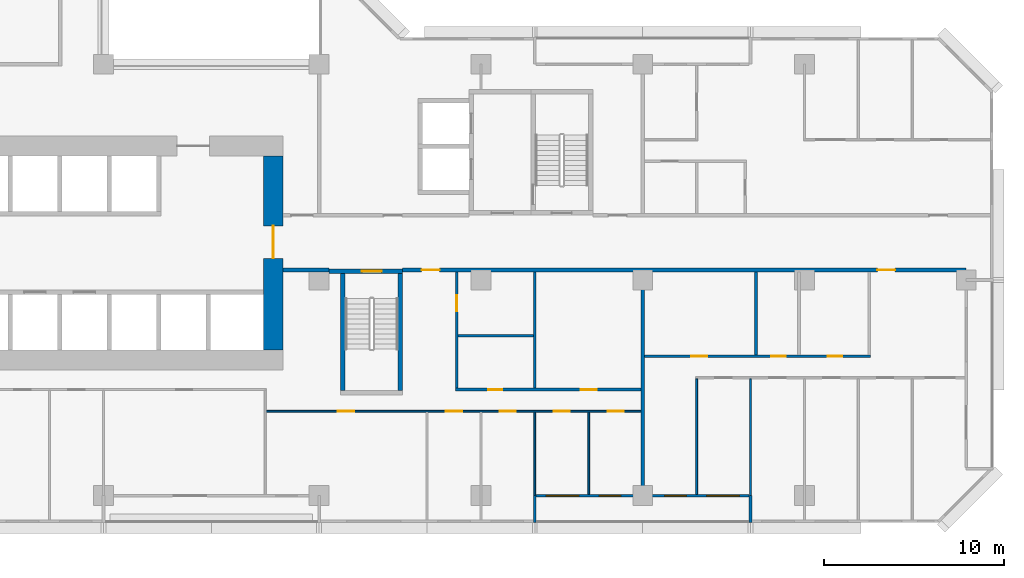
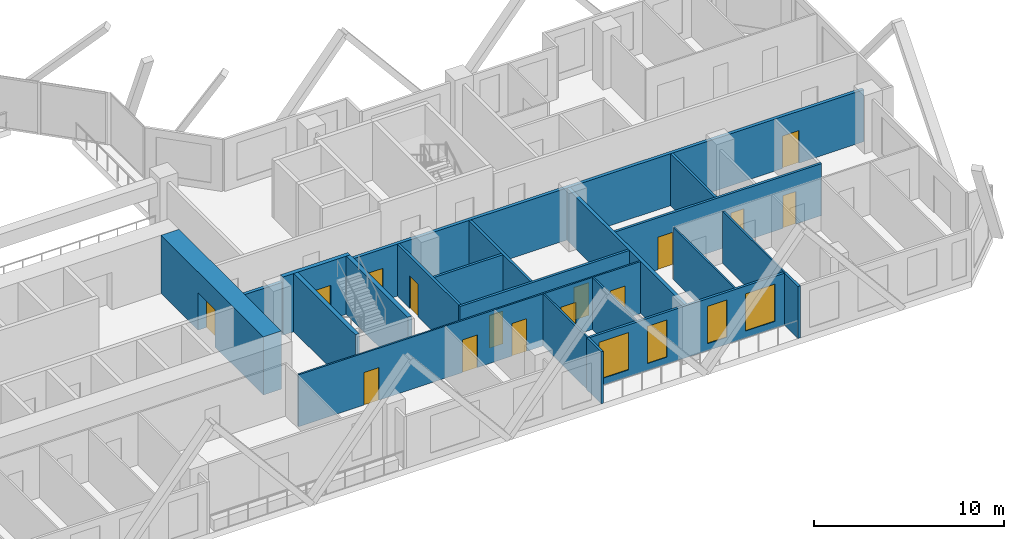
# One storey, part 6 of 15: 21 walls, 15 doors, 4 windows, 19 openings.
"""IFC4 building model written with IfcOpenShell, lengths in metres."""

from ifc_helpers import new_model, si_unit, direction, frame, frame_2d, origin, place, context, subcontext, project, spatial, rectangle, extrude, material, layer, layer_set, type_object, element, fill, save


model = new_model("IFC4")

# Units and contexts
model_context = context("Model", 3, precision=1e-05, world=origin(), true_north=direction((0.0, 1.0)))
body_context = subcontext(model_context, "Body", "Model", "MODEL_VIEW")
ifc_project = project(units=[si_unit("LENGTHUNIT", "METRE"), si_unit("AREAUNIT", "SQUARE_METRE"), si_unit("VOLUMEUNIT", "CUBIC_METRE"), si_unit("PLANEANGLEUNIT", "RADIAN"), si_unit("MASSUNIT", "GRAM", prefix="KILO")], contexts=[model_context])

# Site, building, storey
site_placement = place(None, origin())
site = spatial("IfcSite", under=ifc_project, at=site_placement, CompositionType="ELEMENT")
building_placement = place(site_placement, origin())
building = spatial("IfcBuilding", under=site, at=building_placement, Name="Chenar Terraces", CompositionType="ELEMENT")
storey_placement = place(building_placement, frame((0.0, 0.0, 63.89990234375)))
storey = spatial("IfcBuildingStorey", under=building, at=storey_placement, Name="L13", CompositionType="ELEMENT", Elevation=63.89990234375)

# Wall, opening, door
ifc_material_1 = material(Name="Concrete C70/85", Category="concrete")
ifc_layer_1 = layer(ifc_material_1, 1.10009765625)
ifc_layer_set_1 = layer_set([ifc_layer_1], Name="Concrete C70/85")
wall_type_1 = type_object("IfcWallType", Name="Core wall 1100 Concrete C70/85", PredefinedType="SHEAR", material=ifc_layer_set_1)
wall_1_placement = place(storey_placement, frame((33.449951171875, 8.10009765625, 0.0), z_axis=(0.0, 0.0, 1.0), x_axis=(0.0, 1.0, 0.0)))
wall_1 = element("IfcWall", 1, at=wall_1_placement, inside=storey, type_object=wall_type_1, Name="Core wall E L13", PredefinedType="SHEAR", context=body_context, shape_type="SweptSolid", body=[
    extrude(rectangle(XDim=10.7998046875, YDim=1.10009765625, at=frame_2d((5.39990234375, 0.0))), origin(), (0.0, 0.0, 1.0), 3.75),
])
opening_1_placement = place(wall_1_placement, frame((5.10009765625, 0.0, 0.0)))
opening_1 = element("IfcOpeningElement", 2, at=opening_1_placement, cuts=wall_1, Name="Opening DL13-C1", PredefinedType="OPENING", context=body_context, shape_type="SweptSolid", body=[
    extrude(rectangle(XDim=1.800048828125, YDim=2.39990234375, at=frame_2d((0.89990234375, 1.199951171875))), frame((0.0, 0.56005859375, 0.0), z_axis=(0.0, -1.0, 0.0), x_axis=(1.0, 0.0, 0.0)), (0.0, 0.0, 1.0), 1.1201171875),
])
ifc_material_2 = material(Name="Steel-framed fire-resisting door leaf", Category="steel")
door_type_1 = type_object("IfcDoorType", Name="Core entrance double fire door FD60 1800 x 2400", OperationType="DOUBLE_DOOR_SINGLE_SWING", PredefinedType="DOOR", material=ifc_material_2)
door_1_placement = place(opening_1_placement, origin())
door_1 = element("IfcDoor", 3, at=door_1_placement, inside=storey, type_object=door_type_1, Name="Core door DL13-C1", OperationType="DOUBLE_DOOR_SINGLE_SWING", OverallHeight=2.39990234375, OverallWidth=1.800048828125, PredefinedType="DOOR", context=body_context, shape_type="SweptSolid", body=[
    extrude(rectangle(XDim=1.800048828125, YDim=2.39990234375, at=frame_2d((0.89990234375, 1.199951171875))), frame((0.0, 0.02490234375, 0.0), z_axis=(0.0, -1.0, 0.0), x_axis=(1.0, 0.0, 0.0)), (0.0, 0.0, 1.0), 0.050048828125),
])
fill(opening_1, door_1)

ifc_material_3 = material(Name="Concrete C70/85", Category="concrete")
ifc_layer_2 = layer(ifc_material_3, 0.25)
ifc_layer_set_2 = layer_set([ifc_layer_2], Name="Concrete C70/85")
wall_type_2 = type_object("IfcWallType", Name="Core wall 250 Concrete C70/85", PredefinedType="SHEAR", material=ifc_layer_set_2)
wall_2_placement = place(storey_placement, frame((36.550048828125, 12.47509765625, 0.0), z_axis=(0.0, 0.0, 1.0), x_axis=(1.0, 0.0, 0.0)))
wall_2 = element("IfcWall", 4, at=wall_2_placement, inside=storey, type_object=wall_type_2, Name="Core wall ST2_N L13", PredefinedType="SHEAR", context=body_context, shape_type="SweptSolid", body=[
    extrude(rectangle(XDim=4.099853515625, YDim=0.25, at=frame_2d((2.0498046875, 0.0))), origin(), (0.0, 0.0, 1.0), 3.75),
])
opening_2_placement = place(wall_2_placement, frame((1.824951171875, 0.0, 0.0)))
opening_2 = element("IfcOpeningElement", 5, at=opening_2_placement, cuts=wall_2, Name="Opening DL13-C7", PredefinedType="OPENING", context=body_context, shape_type="SweptSolid", body=[
    extrude(rectangle(XDim=1.10009765625, YDim=2.199951171875, at=frame_2d((0.550048828125, 1.10009765625))), frame((0.0, 0.135009765625, 0.0), z_axis=(0.0, -1.0, 0.0), x_axis=(1.0, 0.0, 0.0)), (0.0, 0.0, 1.0), 0.27001953125),
])
ifc_material_4 = material(Name="Steel-framed fire-resisting door leaf", Category="steel")
door_type_2 = type_object("IfcDoorType", Name="Stair fire door FD60 1100 x 2200", OperationType="SINGLE_SWING_LEFT", PredefinedType="DOOR", material=ifc_material_4)
door_2_placement = place(opening_2_placement, frame((1.10009765625, 0.0, 0.0), z_axis=(0.0, 0.0, 1.0), x_axis=(-1.0, 0.0, 0.0)))
door_2 = element("IfcDoor", 6, at=door_2_placement, inside=storey, type_object=door_type_2, Name="Stair door DL13-C7", OperationType="SINGLE_SWING_LEFT", OverallHeight=2.199951171875, OverallWidth=1.10009765625, PredefinedType="DOOR", context=body_context, shape_type="SweptSolid", body=[
    extrude(rectangle(XDim=1.10009765625, YDim=2.199951171875, at=frame_2d((0.550048828125, 1.10009765625))), frame((0.0, 0.02490234375, 0.0), z_axis=(0.0, -1.0, 0.0), x_axis=(1.0, 0.0, 0.0)), (0.0, 0.0, 1.0), 0.050048828125),
])
fill(opening_2, door_2)

# Walls
for number, where, z_axis, x_axis, name in (
    (7, (37.324951171875, 5.85009765625, 0.0), (0.0, 0.0, 1.0), (0.0, 1.0, 0.0), "Core wall ST2_W L13"),
    (8, (40.52490234375, 5.85009765625, 0.0), (0.0, 0.0, 1.0), (0.0, 1.0, 0.0), "Core wall ST2_E L13"),
):
    element("IfcWall", number, at=place(storey_placement, frame(where, z_axis=z_axis, x_axis=x_axis)), inside=storey, type_object=wall_type_2, Name=name, PredefinedType="SHEAR", context=body_context, shape_type="SweptSolid", body=[
        extrude(rectangle(XDim=6.5, YDim=0.25, at=frame_2d((3.25, 0.0))), origin(), (0.0, 0.0, 1.0), 3.75),
    ])
ifc_material_5 = material(Name="Gypsum board on steel studs with fire boards", Category="steel")
ifc_layer_3 = layer(ifc_material_5, 0.199951171875)
ifc_layer_set_3 = layer_set([ifc_layer_3], Name="Gypsum board on steel studs with fire boards")
wall_type_3 = type_object("IfcWallType", Name="Corridor wall 200", PredefinedType="PARTITIONING", material=ifc_layer_set_3)
wall_3_placement = place(storey_placement, frame((34.0, 12.550048828125, 0.0), z_axis=(0.0, 0.0, 1.0), x_axis=(1.0, 0.0, 0.0)))
element("IfcWall", 9, at=wall_3_placement, inside=storey, type_object=wall_type_3, Name="Partition L13-057", PredefinedType="PARTITIONING", context=body_context, shape_type="SweptSolid", body=[
    extrude(rectangle(XDim=2.551025390625, YDim=0.199951171875, at=frame_2d((1.275390625, 0.0))), origin(), (0.0, 0.0, 1.0), 3.35009765625),
])

# Wall, openings, doors
wall_4_placement = place(storey_placement, frame((40.64990234375, 12.550048828125, 0.0), z_axis=(0.0, 0.0, 1.0), x_axis=(1.0, 0.0, 0.0)))
wall_4 = element("IfcWall", 10, at=wall_4_placement, inside=storey, type_object=wall_type_3, Name="Partition L13-060", PredefinedType="PARTITIONING", context=body_context, shape_type="SweptSolid", body=[
    extrude(rectangle(XDim=31.35009765625, YDim=0.199951171875, at=frame_2d((15.675048828125, 0.0))), origin(), (0.0, 0.0, 1.0), 3.35009765625),
])
opening_3_placement = place(wall_4_placement, frame((26.39990234375, 0.0, 0.0)))
opening_3 = element("IfcOpeningElement", 11, at=opening_3_placement, cuts=wall_4, Name="Opening DL13-16", PredefinedType="OPENING", context=body_context, shape_type="SweptSolid", body=[
    extrude(rectangle(XDim=1.0, YDim=2.10009765625, at=frame_2d((0.5, 1.050048828125))), frame((0.0, 0.10986328125, 0.0), z_axis=(0.0, -1.0, 0.0), x_axis=(1.0, 0.0, 0.0)), (0.0, 0.0, 1.0), 0.219970703125),
])
opening_4_placement = place(wall_4_placement, frame((1.050048828125, 0.0, 0.0)))
opening_4 = element("IfcOpeningElement", 12, at=opening_4_placement, cuts=wall_4, Name="Opening DL13-60", PredefinedType="OPENING", context=body_context, shape_type="SweptSolid", body=[
    extrude(rectangle(XDim=1.0, YDim=2.10009765625, at=frame_2d((0.5, 1.050048828125))), frame((0.0, 0.10986328125, 0.0), z_axis=(0.0, -1.0, 0.0), x_axis=(1.0, 0.0, 0.0)), (0.0, 0.0, 1.0), 0.219970703125),
])
ifc_material_6 = material(Name="Steel-framed fire-resisting door leaf", Category="steel")
door_type_3 = type_object("IfcDoorType", Name="Fire door FD30S 1000 x 2100", OperationType="SINGLE_SWING_LEFT", PredefinedType="DOOR", material=ifc_material_6)
door_3_placement = place(opening_3_placement, frame((1.0, 0.0, 0.0), z_axis=(0.0, 0.0, 1.0), x_axis=(-1.0, 0.0, 0.0)))
door_3 = element("IfcDoor", 13, at=door_3_placement, inside=storey, type_object=door_type_3, Name="Door DL13-16", OperationType="SINGLE_SWING_RIGHT", OverallHeight=2.10009765625, OverallWidth=1.0, PredefinedType="DOOR", context=body_context, shape_type="SweptSolid", body=[
    extrude(rectangle(XDim=1.0, YDim=2.10009765625, at=frame_2d((0.5, 1.050048828125))), frame((0.0, 0.02490234375, 0.0), z_axis=(0.0, -1.0, 0.0), x_axis=(1.0, 0.0, 0.0)), (0.0, 0.0, 1.0), 0.050048828125),
])
fill(opening_3, door_3)
door_4_placement = place(opening_4_placement, origin())
door_4 = element("IfcDoor", 14, at=door_4_placement, inside=storey, type_object=door_type_3, Name="Door DL13-60", OperationType="SINGLE_SWING_RIGHT", OverallHeight=2.10009765625, OverallWidth=1.0, PredefinedType="DOOR", context=body_context, shape_type="SweptSolid", body=[
    extrude(rectangle(XDim=1.0, YDim=2.10009765625, at=frame_2d((0.5, 1.050048828125))), frame((0.0, 0.02490234375, 0.0), z_axis=(0.0, -1.0, 0.0), x_axis=(1.0, 0.0, 0.0)), (0.0, 0.0, 1.0), 0.050048828125),
])
fill(opening_4, door_4)

# Wall, openings, windows
ifc_material_7 = material(Name="Aluminium framed glazing", Category="aluminium")
ifc_layer_4 = layer(ifc_material_7, 0.14990234375)
ifc_layer_set_4 = layer_set([ifc_layer_4], Name="Aluminium framed glazing")
wall_type_4 = type_object("IfcWallType", Name="Glazed loggia back wall 150", PredefinedType="SOLIDWALL", material=ifc_layer_set_4)
wall_5_placement = place(storey_placement, frame((48.074951171875, 0.0, 0.0), z_axis=(0.0, 0.0, 1.0), x_axis=(1.0, 0.0, 0.0)))
wall_5 = element("IfcWall", 15, at=wall_5_placement, inside=storey, type_object=wall_type_4, Name="Glazed loggia back wall", PredefinedType="SOLIDWALL", context=body_context, shape_type="SweptSolid", body=[
    extrude(rectangle(XDim=11.85009765625, YDim=0.14990234375, at=frame_2d((5.925048828125, 0.0))), origin(), (0.0, 0.0, 1.0), 3.35009765625),
])
opening_5_placement = place(wall_5_placement, frame((0.5625, 0.0, 0.449951171875)))
opening_5 = element("IfcOpeningElement", 16, at=opening_5_placement, cuts=wall_5, Name="Opening W180x240", PredefinedType="OPENING", context=body_context, shape_type="SweptSolid", body=[
    extrude(rectangle(XDim=1.800048828125, YDim=2.39990234375, at=frame_2d((0.89990234375, 1.199951171875))), frame((0.0, 0.0849609375, 0.0), z_axis=(0.0, -1.0, 0.0), x_axis=(1.0, 0.0, 0.0)), (0.0, 0.0, 1.0), 0.169921875),
])
opening_6_placement = place(wall_5_placement, frame((3.5, 0.0, 0.449951171875)))
opening_6 = element("IfcOpeningElement", 17, at=opening_6_placement, cuts=wall_5, Name="Opening W120x240", PredefinedType="OPENING", context=body_context, shape_type="SweptSolid", body=[
    extrude(rectangle(XDim=1.199951171875, YDim=2.39990234375, at=frame_2d((0.60009765625, 1.199951171875))), frame((0.0, 0.0849609375, 0.0), z_axis=(0.0, -1.0, 0.0), x_axis=(1.0, 0.0, 0.0)), (0.0, 0.0, 1.0), 0.169921875),
])
opening_7_placement = place(wall_5_placement, frame((7.14990234375, 0.0, 0.449951171875)))
opening_7 = element("IfcOpeningElement", 18, at=opening_7_placement, cuts=wall_5, Name="Opening W120x240", PredefinedType="OPENING", context=body_context, shape_type="SweptSolid", body=[
    extrude(rectangle(XDim=1.199951171875, YDim=2.39990234375, at=frame_2d((0.60009765625, 1.199951171875))), frame((0.0, 0.0849609375, 0.0), z_axis=(0.0, -1.0, 0.0), x_axis=(1.0, 0.0, 0.0)), (0.0, 0.0, 1.0), 0.169921875),
])
opening_8_placement = place(wall_5_placement, frame((9.487548828125, 0.0, 0.449951171875)))
opening_8 = element("IfcOpeningElement", 19, at=opening_8_placement, cuts=wall_5, Name="Opening W180x240", PredefinedType="OPENING", context=body_context, shape_type="SweptSolid", body=[
    extrude(rectangle(XDim=1.800048828125, YDim=2.39990234375, at=frame_2d((0.89990234375, 1.199951171875))), frame((0.0, 0.0849609375, 0.0), z_axis=(0.0, -1.0, 0.0), x_axis=(1.0, 0.0, 0.0)), (0.0, 0.0, 1.0), 0.169921875),
])
ifc_material_8 = material(Name="Low emissivity double glazing, aluminium frame", Category="aluminium")
window_type_1 = type_object("IfcWindowType", Name="Fixed light 1200 x 2400", PartitioningType="SINGLE_PANEL", PredefinedType="WINDOW", material=ifc_material_8)
window_1_placement = place(opening_6_placement, origin())
window_1 = element("IfcWindow", 20, at=window_1_placement, inside=storey, type_object=window_type_1, Name="Window", OverallHeight=2.39990234375, OverallWidth=1.199951171875, PartitioningType="SINGLE_PANEL", PredefinedType="WINDOW", context=body_context, shape_type="SweptSolid", body=[
    extrude(rectangle(XDim=1.199951171875, YDim=2.39990234375, at=frame_2d((0.60009765625, 1.199951171875))), frame((0.0, 0.030029296875, 0.0), z_axis=(0.0, -1.0, 0.0), x_axis=(1.0, 0.0, 0.0)), (0.0, 0.0, 1.0), 0.06005859375),
])
fill(opening_6, window_1)
window_2_placement = place(opening_7_placement, origin())
window_2 = element("IfcWindow", 21, at=window_2_placement, inside=storey, type_object=window_type_1, Name="Window", OverallHeight=2.39990234375, OverallWidth=1.199951171875, PartitioningType="SINGLE_PANEL", PredefinedType="WINDOW", context=body_context, shape_type="SweptSolid", body=[
    extrude(rectangle(XDim=1.199951171875, YDim=2.39990234375, at=frame_2d((0.60009765625, 1.199951171875))), frame((0.0, 0.030029296875, 0.0), z_axis=(0.0, -1.0, 0.0), x_axis=(1.0, 0.0, 0.0)), (0.0, 0.0, 1.0), 0.06005859375),
])
fill(opening_7, window_2)
ifc_material_9 = material(Name="Low emissivity double glazing, aluminium frame", Category="aluminium")
window_type_2 = type_object("IfcWindowType", Name="Fixed light 1800 x 2400", PartitioningType="SINGLE_PANEL", PredefinedType="WINDOW", material=ifc_material_9)
window_3_placement = place(opening_5_placement, origin())
window_3 = element("IfcWindow", 22, at=window_3_placement, inside=storey, type_object=window_type_2, Name="Window", OverallHeight=2.39990234375, OverallWidth=1.800048828125, PartitioningType="SINGLE_PANEL", PredefinedType="WINDOW", context=body_context, shape_type="SweptSolid", body=[
    extrude(rectangle(XDim=1.800048828125, YDim=2.39990234375, at=frame_2d((0.89990234375, 1.199951171875))), frame((0.0, 0.030029296875, 0.0), z_axis=(0.0, -1.0, 0.0), x_axis=(1.0, 0.0, 0.0)), (0.0, 0.0, 1.0), 0.06005859375),
])
fill(opening_5, window_3)
window_4_placement = place(opening_8_placement, origin())
window_4 = element("IfcWindow", 23, at=window_4_placement, inside=storey, type_object=window_type_2, Name="Window", OverallHeight=2.39990234375, OverallWidth=1.800048828125, PartitioningType="SINGLE_PANEL", PredefinedType="WINDOW", context=body_context, shape_type="SweptSolid", body=[
    extrude(rectangle(XDim=1.800048828125, YDim=2.39990234375, at=frame_2d((0.89990234375, 1.199951171875))), frame((0.0, 0.030029296875, 0.0), z_axis=(0.0, -1.0, 0.0), x_axis=(1.0, 0.0, 0.0)), (0.0, 0.0, 1.0), 0.06005859375),
])
fill(opening_8, window_4)

# Wall, openings, doors
ifc_material_10 = material(Name="Gypsum board on steel studs", Category="steel")
ifc_layer_5 = layer(ifc_material_10, 0.10009765625)
ifc_layer_set_5 = layer_set([ifc_layer_5], Name="Gypsum board on steel studs")
wall_type_5 = type_object("IfcWallType", Name="Gypsum partition 100", PredefinedType="PARTITIONING", material=ifc_layer_set_5)
wall_6_placement = place(storey_placement, frame((33.050048828125, 4.699951171875, 0.0), z_axis=(0.0, 0.0, 1.0), x_axis=(1.0, 0.0, 0.0)))
wall_6 = element("IfcWall", 24, at=wall_6_placement, inside=storey, type_object=wall_type_5, Name="Partition L13-056", PredefinedType="PARTITIONING", context=body_context, shape_type="SweptSolid", body=[
    extrude(rectangle(XDim=20.849853515625, YDim=0.10009765625, at=frame_2d((10.4248046875, 0.0))), origin(), (0.0, 0.0, 1.0), 3.35009765625),
])
opening_9_placement = place(wall_6_placement, frame((10.0, 0.0, 0.0)))
opening_9 = element("IfcOpeningElement", 25, at=opening_9_placement, cuts=wall_6, Name="Opening DL13-53", PredefinedType="OPENING", context=body_context, shape_type="SweptSolid", body=[
    extrude(rectangle(XDim=0.89990234375, YDim=2.10009765625, at=frame_2d((0.449951171875, 1.050048828125))), frame((0.0, 0.06005859375, 0.0), z_axis=(0.0, -1.0, 0.0), x_axis=(1.0, 0.0, 0.0)), (0.0, 0.0, 1.0), 0.1201171875),
])
opening_10_placement = place(wall_6_placement, frame((13.0, 0.0, 0.0)))
opening_10 = element("IfcOpeningElement", 26, at=opening_10_placement, cuts=wall_6, Name="Opening DL13-54", PredefinedType="OPENING", context=body_context, shape_type="SweptSolid", body=[
    extrude(rectangle(XDim=0.89990234375, YDim=2.10009765625, at=frame_2d((0.449951171875, 1.050048828125))), frame((0.0, 0.06005859375, 0.0), z_axis=(0.0, -1.0, 0.0), x_axis=(1.0, 0.0, 0.0)), (0.0, 0.0, 1.0), 0.1201171875),
])
opening_11_placement = place(wall_6_placement, frame((16.0, 0.0, 0.0)))
opening_11 = element("IfcOpeningElement", 27, at=opening_11_placement, cuts=wall_6, Name="Opening DL13-55", PredefinedType="OPENING", context=body_context, shape_type="SweptSolid", body=[
    extrude(rectangle(XDim=0.89990234375, YDim=2.10009765625, at=frame_2d((0.449951171875, 1.050048828125))), frame((0.0, 0.06005859375, 0.0), z_axis=(0.0, -1.0, 0.0), x_axis=(1.0, 0.0, 0.0)), (0.0, 0.0, 1.0), 0.1201171875),
])
opening_12_placement = place(wall_6_placement, frame((19.0, 0.0, 0.0)))
opening_12 = element("IfcOpeningElement", 28, at=opening_12_placement, cuts=wall_6, Name="Opening DL13-56", PredefinedType="OPENING", context=body_context, shape_type="SweptSolid", body=[
    extrude(rectangle(XDim=0.89990234375, YDim=2.10009765625, at=frame_2d((0.449951171875, 1.050048828125))), frame((0.0, 0.06005859375, 0.0), z_axis=(0.0, -1.0, 0.0), x_axis=(1.0, 0.0, 0.0)), (0.0, 0.0, 1.0), 0.1201171875),
])
opening_13_placement = place(wall_6_placement, frame((4.0, 0.0, 0.0)))
opening_13 = element("IfcOpeningElement", 29, at=opening_13_placement, cuts=wall_6, Name="Opening DL13-63", PredefinedType="OPENING", context=body_context, shape_type="SweptSolid", body=[
    extrude(rectangle(XDim=0.89990234375, YDim=2.10009765625, at=frame_2d((0.449951171875, 1.050048828125))), frame((0.0, 0.06005859375, 0.0), z_axis=(0.0, -1.0, 0.0), x_axis=(1.0, 0.0, 0.0)), (0.0, 0.0, 1.0), 0.1201171875),
])
ifc_material_11 = material(Name="Veneered timber door leaf", Category="wood")
door_type_4 = type_object("IfcDoorType", Name="Door 900 x 2100", OperationType="SINGLE_SWING_LEFT", PredefinedType="DOOR", material=ifc_material_11)
door_5_placement = place(opening_9_placement, frame((0.89990234375, 0.0, 0.0), z_axis=(0.0, 0.0, 1.0), x_axis=(-1.0, 0.0, 0.0)))
door_5 = element("IfcDoor", 30, at=door_5_placement, inside=storey, type_object=door_type_4, Name="Door DL13-53", OperationType="SINGLE_SWING_LEFT", OverallHeight=2.10009765625, OverallWidth=0.89990234375, PredefinedType="DOOR", context=body_context, shape_type="SweptSolid", body=[
    extrude(rectangle(XDim=0.89990234375, YDim=2.10009765625, at=frame_2d((0.449951171875, 1.050048828125))), frame((0.0, 0.02490234375, 0.0), z_axis=(0.0, -1.0, 0.0), x_axis=(1.0, 0.0, 0.0)), (0.0, 0.0, 1.0), 0.050048828125),
])
fill(opening_9, door_5)
door_6_placement = place(opening_10_placement, frame((0.89990234375, 0.0, 0.0), z_axis=(0.0, 0.0, 1.0), x_axis=(-1.0, 0.0, 0.0)))
door_6 = element("IfcDoor", 31, at=door_6_placement, inside=storey, type_object=door_type_4, Name="Door DL13-54", OperationType="SINGLE_SWING_LEFT", OverallHeight=2.10009765625, OverallWidth=0.89990234375, PredefinedType="DOOR", context=body_context, shape_type="SweptSolid", body=[
    extrude(rectangle(XDim=0.89990234375, YDim=2.10009765625, at=frame_2d((0.449951171875, 1.050048828125))), frame((0.0, 0.02490234375, 0.0), z_axis=(0.0, -1.0, 0.0), x_axis=(1.0, 0.0, 0.0)), (0.0, 0.0, 1.0), 0.050048828125),
])
fill(opening_10, door_6)
door_7_placement = place(opening_11_placement, frame((0.89990234375, 0.0, 0.0), z_axis=(0.0, 0.0, 1.0), x_axis=(-1.0, 0.0, 0.0)))
door_7 = element("IfcDoor", 32, at=door_7_placement, inside=storey, type_object=door_type_4, Name="Door DL13-55", OperationType="SINGLE_SWING_LEFT", OverallHeight=2.10009765625, OverallWidth=0.89990234375, PredefinedType="DOOR", context=body_context, shape_type="SweptSolid", body=[
    extrude(rectangle(XDim=0.89990234375, YDim=2.10009765625, at=frame_2d((0.449951171875, 1.050048828125))), frame((0.0, 0.02490234375, 0.0), z_axis=(0.0, -1.0, 0.0), x_axis=(1.0, 0.0, 0.0)), (0.0, 0.0, 1.0), 0.050048828125),
])
fill(opening_11, door_7)
door_8_placement = place(opening_12_placement, frame((0.89990234375, 0.0, 0.0), z_axis=(0.0, 0.0, 1.0), x_axis=(-1.0, 0.0, 0.0)))
door_8 = element("IfcDoor", 33, at=door_8_placement, inside=storey, type_object=door_type_4, Name="Door DL13-56", OperationType="SINGLE_SWING_LEFT", OverallHeight=2.10009765625, OverallWidth=0.89990234375, PredefinedType="DOOR", context=body_context, shape_type="SweptSolid", body=[
    extrude(rectangle(XDim=0.89990234375, YDim=2.10009765625, at=frame_2d((0.449951171875, 1.050048828125))), frame((0.0, 0.02490234375, 0.0), z_axis=(0.0, -1.0, 0.0), x_axis=(1.0, 0.0, 0.0)), (0.0, 0.0, 1.0), 0.050048828125),
])
fill(opening_12, door_8)
door_9_placement = place(opening_13_placement, frame((0.89990234375, 0.0, 0.0), z_axis=(0.0, 0.0, 1.0), x_axis=(-1.0, 0.0, 0.0)))
door_9 = element("IfcDoor", 34, at=door_9_placement, inside=storey, type_object=door_type_4, Name="Door DL13-63", OperationType="SINGLE_SWING_LEFT", OverallHeight=2.10009765625, OverallWidth=0.89990234375, PredefinedType="DOOR", context=body_context, shape_type="SweptSolid", body=[
    extrude(rectangle(XDim=0.89990234375, YDim=2.10009765625, at=frame_2d((0.449951171875, 1.050048828125))), frame((0.0, 0.02490234375, 0.0), z_axis=(0.0, -1.0, 0.0), x_axis=(1.0, 0.0, 0.0)), (0.0, 0.0, 1.0), 0.050048828125),
])
fill(opening_13, door_9)

# Walls
wall_7_placement = place(storey_placement, frame((48.0, 0.0, 0.0), z_axis=(0.0, 0.0, 1.0), x_axis=(0.0, 1.0, 0.0)))
element("IfcWall", 35, at=wall_7_placement, inside=storey, type_object=wall_type_5, Name="Partition L13-067", PredefinedType="PARTITIONING", context=body_context, shape_type="SweptSolid", body=[
    extrude(rectangle(XDim=4.64990234375, YDim=0.10009765625, at=frame_2d((2.324951171875, 0.0))), origin(), (0.0, 0.0, 1.0), 3.35009765625),
])
wall_8_placement = place(storey_placement, frame((51.0, 0.073974609375, 0.0), z_axis=(0.0, 0.0, 1.0), x_axis=(0.0, 1.0, 0.0)))
element("IfcWall", 36, at=wall_8_placement, inside=storey, type_object=wall_type_5, Name="Partition L13-069", PredefinedType="PARTITIONING", context=body_context, shape_type="SweptSolid", body=[
    extrude(rectangle(XDim=4.575927734375, YDim=0.10009765625, at=frame_2d((2.2880859375, 0.0))), origin(), (0.0, 0.0, 1.0), 3.35009765625),
])
wall_9_placement = place(storey_placement, frame((57.0, 0.073974609375, 0.0), z_axis=(0.0, 0.0, 1.0), x_axis=(0.0, 1.0, 0.0)))
element("IfcWall", 37, at=wall_9_placement, inside=storey, type_object=wall_type_5, Name="Partition L13-077", PredefinedType="PARTITIONING", context=body_context, shape_type="SweptSolid", body=[
    extrude(rectangle(XDim=6.426025390625, YDim=0.10009765625, at=frame_2d((3.212890625, 0.0))), origin(), (0.0, 0.0, 1.0), 3.35009765625),
])
wall_10_placement = place(storey_placement, frame((60.0, 0.0, 0.0), z_axis=(0.0, 0.0, 1.0), x_axis=(0.0, 1.0, 0.0)))
element("IfcWall", 38, at=wall_10_placement, inside=storey, type_object=wall_type_5, Name="Partition L13-081", PredefinedType="PARTITIONING", context=body_context, shape_type="SweptSolid", body=[
    extrude(rectangle(XDim=6.5, YDim=0.10009765625, at=frame_2d((3.25, 0.0))), origin(), (0.0, 0.0, 1.0), 3.35009765625),
])
ifc_material_12 = material(Name="Terracotta cladding on insulated backing", Category="masonry")
ifc_layer_6 = layer(ifc_material_12, 0.14990234375)
ifc_layer_set_6 = layer_set([ifc_layer_6], Name="Terracotta cladding on insulated backing")
wall_type_6 = type_object("IfcWallType", Name="Loggia return wall 150", PredefinedType="SOLIDWALL", material=ifc_layer_set_6)
for number, where, z_axis, x_axis, name in (
    (39, (48.0, -1.5, 0.0), (0.0, 0.0, 1.0), (0.0, 1.0, 0.0), "Loggia return wall"),
    (40, (60.0, -1.5, 0.0), (0.0, 0.0, 1.0), (0.0, 1.0, 0.0), "Loggia return wall"),
):
    element("IfcWall", number, at=place(storey_placement, frame(where, z_axis=z_axis, x_axis=x_axis)), inside=storey, type_object=wall_type_6, Name=name, PredefinedType="SOLIDWALL", context=body_context, shape_type="SweptSolid", body=[
        extrude(rectangle(XDim=1.5, YDim=0.14990234375, at=frame_2d((0.75, 0.0))), origin(), (0.0, 0.0, 1.0), 3.35009765625),
    ])
ifc_material_13 = material(Name="Twin gypsum board on steel studs with mineral wool", Category="steel")
ifc_layer_7 = layer(ifc_material_13, 0.199951171875)
ifc_layer_set_7 = layer_set([ifc_layer_7], Name="Twin gypsum board on steel studs with mineral wool")
wall_type_7 = type_object("IfcWallType", Name="Unit demising wall 200", PredefinedType="PARTITIONING", material=ifc_layer_set_7)
wall_11_placement = place(storey_placement, frame((54.0, 0.073974609375, 0.0), z_axis=(0.0, 0.0, 1.0), x_axis=(0.0, 1.0, 0.0)))
element("IfcWall", 41, at=wall_11_placement, inside=storey, type_object=wall_type_7, Name="Partition L13-071", PredefinedType="PARTITIONING", context=body_context, shape_type="SweptSolid", body=[
    extrude(rectangle(XDim=12.3759765625, YDim=0.199951171875, at=frame_2d((6.18798828125, 0.0))), origin(), (0.0, 0.0, 1.0), 3.35009765625),
])

# Wall, openings, doors
ifc_material_14 = material(Name="Moisture-resistant gypsum board on steel studs", Category="steel")
ifc_layer_8 = layer(ifc_material_14, 0.14990234375)
ifc_layer_set_8 = layer_set([ifc_layer_8], Name="Moisture-resistant gypsum board on steel studs")
wall_type_8 = type_object("IfcWallType", Name="Wet-room partition 150", PredefinedType="PARTITIONING", material=ifc_layer_set_8)
wall_12_placement = place(storey_placement, frame((43.574951171875, 5.89990234375, 0.0), z_axis=(0.0, 0.0, 1.0), x_axis=(1.0, 0.0, 0.0)))
wall_12 = element("IfcWall", 42, at=wall_12_placement, inside=storey, type_object=wall_type_8, Name="Partition L13-062", PredefinedType="PARTITIONING", context=body_context, shape_type="SweptSolid", body=[
    extrude(rectangle(XDim=10.324951171875, YDim=0.14990234375, at=frame_2d((5.16259765625, 0.0))), origin(), (0.0, 0.0, 1.0), 3.35009765625),
])
opening_14_placement = place(wall_12_placement, frame((1.824951171875, 0.0, 0.0)))
opening_14 = element("IfcOpeningElement", 43, at=opening_14_placement, cuts=wall_12, Name="Opening DL13-48", PredefinedType="OPENING", context=body_context, shape_type="SweptSolid", body=[
    extrude(rectangle(XDim=0.800048828125, YDim=2.10009765625, at=frame_2d((0.39990234375, 1.050048828125))), frame((0.0, 0.0849609375, 0.0), z_axis=(0.0, -1.0, 0.0), x_axis=(1.0, 0.0, 0.0)), (0.0, 0.0, 1.0), 0.169921875),
])
opening_15_placement = place(wall_12_placement, frame((6.97509765625, 0.0, 0.0)))
opening_15 = element("IfcOpeningElement", 44, at=opening_15_placement, cuts=wall_12, Name="Opening DL13-59", PredefinedType="OPENING", context=body_context, shape_type="SweptSolid", body=[
    extrude(rectangle(XDim=0.89990234375, YDim=2.10009765625, at=frame_2d((0.449951171875, 1.050048828125))), frame((0.0, 0.0849609375, 0.0), z_axis=(0.0, -1.0, 0.0), x_axis=(1.0, 0.0, 0.0)), (0.0, 0.0, 1.0), 0.169921875),
])
ifc_material_15 = material(Name="Veneered timber door leaf", Category="wood")
door_type_5 = type_object("IfcDoorType", Name="Door 800 x 2100", OperationType="SINGLE_SWING_LEFT", PredefinedType="DOOR", material=ifc_material_15)
door_10_placement = place(opening_14_placement, origin())
door_10 = element("IfcDoor", 45, at=door_10_placement, inside=storey, type_object=door_type_5, Name="Door DL13-48", OperationType="SINGLE_SWING_RIGHT", OverallHeight=2.10009765625, OverallWidth=0.800048828125, PredefinedType="DOOR", context=body_context, shape_type="SweptSolid", body=[
    extrude(rectangle(XDim=0.800048828125, YDim=2.10009765625, at=frame_2d((0.39990234375, 1.050048828125))), frame((0.0, 0.02490234375, 0.0), z_axis=(0.0, -1.0, 0.0), x_axis=(1.0, 0.0, 0.0)), (0.0, 0.0, 1.0), 0.050048828125),
])
fill(opening_14, door_10)
door_11_placement = place(opening_15_placement, origin())
door_11 = element("IfcDoor", 46, at=door_11_placement, inside=storey, type_object=door_type_4, Name="Door DL13-59", OperationType="SINGLE_SWING_RIGHT", OverallHeight=2.10009765625, OverallWidth=0.89990234375, PredefinedType="DOOR", context=body_context, shape_type="SweptSolid", body=[
    extrude(rectangle(XDim=0.89990234375, YDim=2.10009765625, at=frame_2d((0.449951171875, 1.050048828125))), frame((0.0, 0.02490234375, 0.0), z_axis=(0.0, -1.0, 0.0), x_axis=(1.0, 0.0, 0.0)), (0.0, 0.0, 1.0), 0.050048828125),
])
fill(opening_15, door_11)

# Wall, opening, door
wall_13_placement = place(storey_placement, frame((43.64990234375, 5.97509765625, 0.0), z_axis=(0.0, 0.0, 1.0), x_axis=(0.0, 1.0, 0.0)))
wall_13 = element("IfcWall", 47, at=wall_13_placement, inside=storey, type_object=wall_type_8, Name="Partition L13-063", PredefinedType="PARTITIONING", context=body_context, shape_type="SweptSolid", body=[
    extrude(rectangle(XDim=6.474853515625, YDim=0.14990234375, at=frame_2d((3.2373046875, 0.0))), origin(), (0.0, 0.0, 1.0), 3.35009765625),
])
opening_16_placement = place(wall_13_placement, frame((4.27490234375, 0.0, 0.0)))
opening_16 = element("IfcOpeningElement", 48, at=opening_16_placement, cuts=wall_13, Name="Opening DL13-61", PredefinedType="OPENING", context=body_context, shape_type="SweptSolid", body=[
    extrude(rectangle(XDim=0.89990234375, YDim=2.10009765625, at=frame_2d((0.449951171875, 1.050048828125))), frame((0.0, 0.0849609375, 0.0), z_axis=(0.0, -1.0, 0.0), x_axis=(1.0, 0.0, 0.0)), (0.0, 0.0, 1.0), 0.169921875),
])
door_12_placement = place(opening_16_placement, frame((0.89990234375, 0.0, 0.0), z_axis=(0.0, 0.0, 1.0), x_axis=(-1.0, 0.0, 0.0)))
door_12 = element("IfcDoor", 49, at=door_12_placement, inside=storey, type_object=door_type_4, Name="Door DL13-61", OperationType="SINGLE_SWING_RIGHT", OverallHeight=2.10009765625, OverallWidth=0.89990234375, PredefinedType="DOOR", context=body_context, shape_type="SweptSolid", body=[
    extrude(rectangle(XDim=0.89990234375, YDim=2.10009765625, at=frame_2d((0.449951171875, 1.050048828125))), frame((0.0, 0.02490234375, 0.0), z_axis=(0.0, -1.0, 0.0), x_axis=(1.0, 0.0, 0.0)), (0.0, 0.0, 1.0), 0.050048828125),
])
fill(opening_16, door_12)

# Walls
wall_14_placement = place(storey_placement, frame((43.72509765625, 8.89990234375, 0.0), z_axis=(0.0, 0.0, 1.0), x_axis=(1.0, 0.0, 0.0)))
element("IfcWall", 50, at=wall_14_placement, inside=storey, type_object=wall_type_8, Name="Partition L13-064", PredefinedType="PARTITIONING", context=body_context, shape_type="SweptSolid", body=[
    extrude(rectangle(XDim=4.199951171875, YDim=0.14990234375, at=frame_2d((2.10009765625, 0.0))), origin(), (0.0, 0.0, 1.0), 3.35009765625),
])
wall_15_placement = place(storey_placement, frame((48.0, 5.97509765625, 0.0), z_axis=(0.0, 0.0, 1.0), x_axis=(0.0, 1.0, 0.0)))
element("IfcWall", 51, at=wall_15_placement, inside=storey, type_object=wall_type_8, Name="Partition L13-068", PredefinedType="PARTITIONING", context=body_context, shape_type="SweptSolid", body=[
    extrude(rectangle(XDim=6.474853515625, YDim=0.14990234375, at=frame_2d((3.2373046875, 0.0))), origin(), (0.0, 0.0, 1.0), 3.35009765625),
])

# Wall, openings, doors
wall_16_placement = place(storey_placement, frame((54.10009765625, 7.75, 0.0), z_axis=(0.0, 0.0, 1.0), x_axis=(1.0, 0.0, 0.0)))
wall_16 = element("IfcWall", 52, at=wall_16_placement, inside=storey, type_object=wall_type_8, Name="Partition L13-073", PredefinedType="PARTITIONING", context=body_context, shape_type="SweptSolid", body=[
    extrude(rectangle(XDim=12.574951171875, YDim=0.14990234375, at=frame_2d((6.28759765625, 0.0))), origin(), (0.0, 0.0, 1.0), 3.35009765625),
])
opening_17_placement = place(wall_16_placement, frame((10.199951171875, 0.0, 0.0)))
opening_17 = element("IfcOpeningElement", 53, at=opening_17_placement, cuts=wall_16, Name="Opening DL13-11", PredefinedType="OPENING", context=body_context, shape_type="SweptSolid", body=[
    extrude(rectangle(XDim=0.800048828125, YDim=2.10009765625, at=frame_2d((0.39990234375, 1.050048828125))), frame((0.0, 0.0849609375, 0.0), z_axis=(0.0, -1.0, 0.0), x_axis=(1.0, 0.0, 0.0)), (0.0, 0.0, 1.0), 0.169921875),
])
opening_18_placement = place(wall_16_placement, frame((2.60009765625, 0.0, 0.0)))
opening_18 = element("IfcOpeningElement", 54, at=opening_18_placement, cuts=wall_16, Name="Opening DL13-15", PredefinedType="OPENING", context=body_context, shape_type="SweptSolid", body=[
    extrude(rectangle(XDim=0.89990234375, YDim=2.10009765625, at=frame_2d((0.449951171875, 1.050048828125))), frame((0.0, 0.0849609375, 0.0), z_axis=(0.0, -1.0, 0.0), x_axis=(1.0, 0.0, 0.0)), (0.0, 0.0, 1.0), 0.169921875),
])
opening_19_placement = place(wall_16_placement, frame((7.050048828125, 0.0, 0.0)))
opening_19 = element("IfcOpeningElement", 55, at=opening_19_placement, cuts=wall_16, Name="Opening DL13-19", PredefinedType="OPENING", context=body_context, shape_type="SweptSolid", body=[
    extrude(rectangle(XDim=0.800048828125, YDim=2.10009765625, at=frame_2d((0.39990234375, 1.050048828125))), frame((0.0, 0.0849609375, 0.0), z_axis=(0.0, -1.0, 0.0), x_axis=(1.0, 0.0, 0.0)), (0.0, 0.0, 1.0), 0.169921875),
])
door_13_placement = place(opening_17_placement, origin())
door_13 = element("IfcDoor", 56, at=door_13_placement, inside=storey, type_object=door_type_5, Name="Door DL13-11", OperationType="SINGLE_SWING_RIGHT", OverallHeight=2.10009765625, OverallWidth=0.800048828125, PredefinedType="DOOR", context=body_context, shape_type="SweptSolid", body=[
    extrude(rectangle(XDim=0.800048828125, YDim=2.10009765625, at=frame_2d((0.39990234375, 1.050048828125))), frame((0.0, 0.02490234375, 0.0), z_axis=(0.0, -1.0, 0.0), x_axis=(1.0, 0.0, 0.0)), (0.0, 0.0, 1.0), 0.050048828125),
])
fill(opening_17, door_13)
door_14_placement = place(opening_19_placement, origin())
door_14 = element("IfcDoor", 57, at=door_14_placement, inside=storey, type_object=door_type_5, Name="Door DL13-19", OperationType="SINGLE_SWING_RIGHT", OverallHeight=2.10009765625, OverallWidth=0.800048828125, PredefinedType="DOOR", context=body_context, shape_type="SweptSolid", body=[
    extrude(rectangle(XDim=0.800048828125, YDim=2.10009765625, at=frame_2d((0.39990234375, 1.050048828125))), frame((0.0, 0.02490234375, 0.0), z_axis=(0.0, -1.0, 0.0), x_axis=(1.0, 0.0, 0.0)), (0.0, 0.0, 1.0), 0.050048828125),
])
fill(opening_19, door_14)
door_15_placement = place(opening_18_placement, origin())
door_15 = element("IfcDoor", 58, at=door_15_placement, inside=storey, type_object=door_type_4, Name="Door DL13-15", OperationType="SINGLE_SWING_RIGHT", OverallHeight=2.10009765625, OverallWidth=0.89990234375, PredefinedType="DOOR", context=body_context, shape_type="SweptSolid", body=[
    extrude(rectangle(XDim=0.89990234375, YDim=2.10009765625, at=frame_2d((0.449951171875, 1.050048828125))), frame((0.0, 0.02490234375, 0.0), z_axis=(0.0, -1.0, 0.0), x_axis=(1.0, 0.0, 0.0)), (0.0, 0.0, 1.0), 0.050048828125),
])
fill(opening_18, door_15)

# Wall
wall_17_placement = place(storey_placement, frame((60.300048828125, 7.824951171875, 0.0), z_axis=(0.0, 0.0, 1.0), x_axis=(0.0, 1.0, 0.0)))
element("IfcWall", 59, at=wall_17_placement, inside=storey, type_object=wall_type_8, Name="Partition L13-082", PredefinedType="PARTITIONING", context=body_context, shape_type="SweptSolid", body=[
    extrude(rectangle(XDim=4.625, YDim=0.14990234375, at=frame_2d((2.3125, 0.0))), origin(), (0.0, 0.0, 1.0), 3.35009765625),
])

save(model, "model.ifc")
